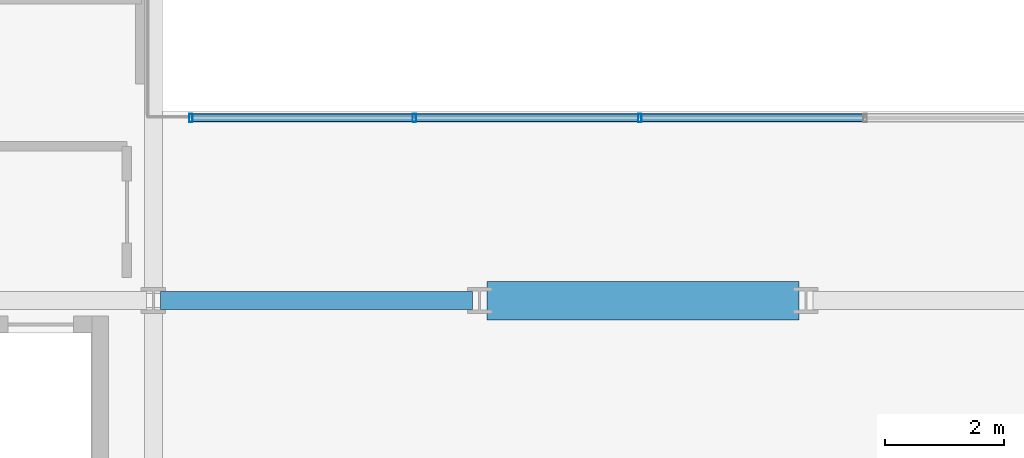
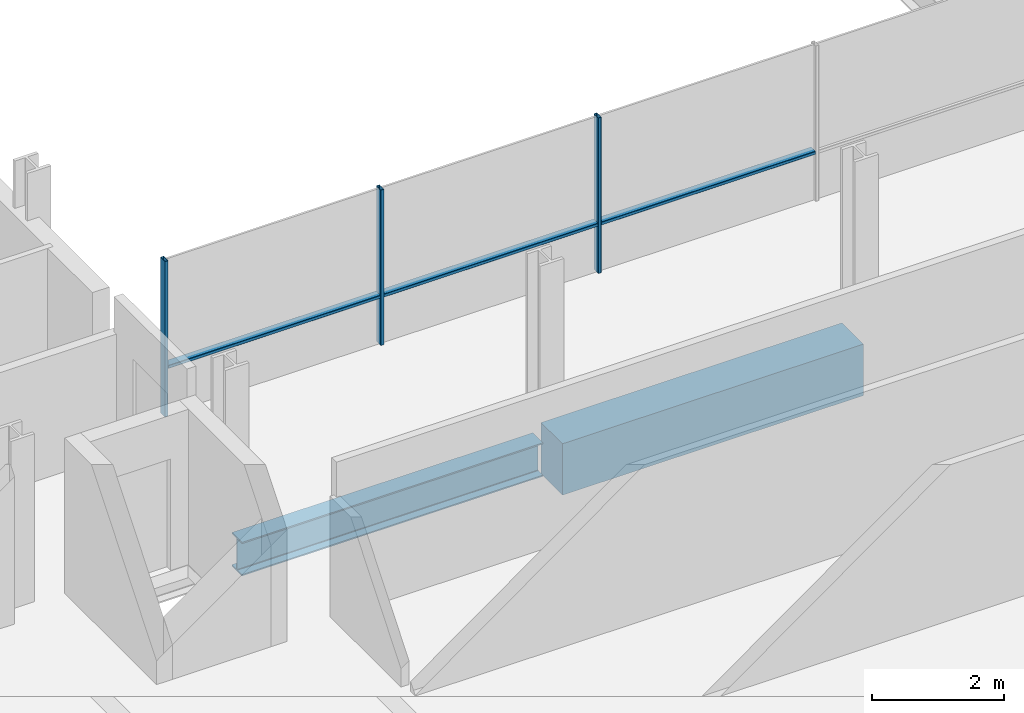
# One storey, part 4 of 41: 6 members, 2 beams, 1 element without a shape of its own.
"""IFC4 building model written with IfcOpenShell, lengths in metres."""

from ifc_helpers import new_model, si_unit, direction, frame, origin, origin_2d, place, context, subcontext, project, spatial, rectangle, hollow_rectangle, i_section, extrude, material, layer, layer_set, material_profile, profile_set, type_object, element, aggregate, save


model = new_model("IFC4")

# Units and contexts
model_context = context("Model", 3, precision=1e-05, world=origin(), true_north=direction((0.0, 1.0)))
body_context = subcontext(model_context, "Body", "Model", "MODEL_VIEW")
ifc_project = project(units=[si_unit("LENGTHUNIT", "METRE"), si_unit("AREAUNIT", "SQUARE_METRE"), si_unit("VOLUMEUNIT", "CUBIC_METRE"), si_unit("PLANEANGLEUNIT", "RADIAN"), si_unit("MASSUNIT", "GRAM", prefix="KILO")], contexts=[model_context])

# Site, building, storey
site_placement = place(None, origin())
site = spatial("IfcSite", under=ifc_project, at=site_placement, CompositionType="ELEMENT")
building_placement = place(site_placement, origin())
building = spatial("IfcBuilding", under=site, at=building_placement, Name="Brevholm Reach", CompositionType="ELEMENT")
storey_placement = place(building_placement, frame((0.0, 0.0, 86.89990234375)))
storey = spatial("IfcBuildingStorey", under=building, at=storey_placement, Name="L25", CompositionType="ELEMENT", Elevation=86.89990234375)

# Beams
ifc_material_1 = material(Name="Concrete C60/75", Category="concrete")
ifc_material_profile_1 = material_profile(ifc_material_1, rectangle(XDim=0.64990234375, YDim=0.949951171875, at=origin_2d()), Name="RC 650x950")
ifc_profile_set_1 = profile_set([ifc_material_profile_1], Name="Concrete C60/75")
beam_type_1 = type_object("IfcBeamType", Name="BM-CB650", PredefinedType="LINTEL", material=ifc_profile_set_1)
beam_1_placement = place(storey_placement, frame((27.3701171875, 10.0, -0.704833984375), z_axis=(1.0, 0.0, 0.0), x_axis=(0.0, 1.0, 0.0)))
element("IfcBeam", 1, at=beam_1_placement, inside=storey, type_object=beam_type_1, Name="L25 CB-01 Framing Beam", PredefinedType="LINTEL", context=body_context, shape_type="SweptSolid", body=[
    extrude(rectangle(XDim=0.64990234375, YDim=0.949951171875, at=origin_2d()), origin(), (0.0, 0.0, 1.0), 5.259765625),
])
ifc_material_2 = material(Name="Structural Steel S355J2", Category="steel")
ifc_material_profile_2 = material_profile(ifc_material_2, i_section(OverallWidth=0.30712890625, OverallDepth=0.6201171875, WebThickness=0.01416015625, FlangeThickness=0.023681640625, FilletRadius=0.0166015625, at=origin_2d()), Name="UKB 610x305x179")
ifc_profile_set_2 = profile_set([ifc_material_profile_2], Name="Structural Steel S355J2")
beam_type_2 = type_object("IfcBeamType", Name="BM-UKB610H", PredefinedType="USERDEFINED", material=ifc_profile_set_2)
beam_2_placement = place(storey_placement, frame((21.8701171875, 10.0, -0.5400390625), z_axis=(1.0, 0.0, 0.0), x_axis=(0.0, 1.0, 0.0)))
element("IfcBeam", 2, at=beam_2_placement, inside=storey, type_object=beam_type_2, Name="L25 G-06 Framing Beam", ObjectType="GIRDER", PredefinedType="USERDEFINED", context=body_context, shape_type="SweptSolid", body=[
    extrude(i_section(OverallWidth=0.30712890625, OverallDepth=0.6201171875, WebThickness=0.01416015625, FlangeThickness=0.023681640625, FilletRadius=0.0166015625, at=origin_2d()), origin(), (0.0, 0.0, 1.0), 5.259765625),
])

# Curtain wall, members
ifc_material_3 = material(Name="Dark Anodised Aluminium 6063-T6 and Solar-Control Glass", Category="aluminium")
ifc_layer = layer(ifc_material_3, 0.139892578125)
ifc_layer_set = layer_set([ifc_layer], Name="Dark Anodised Aluminium 6063-T6 and Solar-Control Glass")
curtain_wall_type = type_object("IfcCurtainWallType", Name="CW-02", PredefinedType="NOTDEFINED", material=ifc_layer_set)
curtain_wall_placement = place(storey_placement, origin())
curtain_wall = element("IfcCurtainWall", 3, at=curtain_wall_placement, inside=storey, type_object=curtain_wall_type, Name="L25 Curtain Wall CW-02", PredefinedType="NOTDEFINED")
ifc_material_4 = material(Name="Dark Anodised Aluminium 6063-T6", Category="aluminium")
ifc_material_profile_3 = material_profile(ifc_material_4, hollow_rectangle(XDim=0.06005859375, YDim=0.139892578125, WallThickness=0.0048828125, InnerFilletRadius=0.0048828125, OuterFilletRadius=0.010009765625, at=origin_2d()), Name="RHS 140x60x5")
ifc_profile_set_3 = profile_set([ifc_material_profile_3], Name="Dark Anodised Aluminium 6063-T6")
member_type_1 = type_object("IfcMemberType", Name="CWM-140", PredefinedType="MULLION", material=ifc_profile_set_3)
member_1_placement = place(storey_placement, frame((22.3798828125, 13.080078125, 0.0), z_axis=(0.0, 0.0, 1.0), x_axis=(1.0, 0.0, 0.0)))
member_1 = element("IfcMember", 4, at=member_1_placement, type_object=member_type_1, Name="CM-140 Mullion 1", PredefinedType="MULLION", context=body_context, shape_type="SweptSolid", body=[
    extrude(hollow_rectangle(XDim=0.06005859375, YDim=0.139892578125, WallThickness=0.0048828125, InnerFilletRadius=0.0048828125, OuterFilletRadius=0.010009765625, at=origin_2d()), origin(), (0.0, 0.0, 1.0), 2.8701171875),
])
member_2_placement = place(storey_placement, frame((26.14990234375, 13.080078125, 0.0), z_axis=(0.0, 0.0, 1.0), x_axis=(1.0, 0.0, 0.0)))
member_2 = element("IfcMember", 5, at=member_2_placement, type_object=member_type_1, Name="CM-140 Mullion 2", PredefinedType="MULLION", context=body_context, shape_type="SweptSolid", body=[
    extrude(hollow_rectangle(XDim=0.06005859375, YDim=0.139892578125, WallThickness=0.0048828125, InnerFilletRadius=0.0048828125, OuterFilletRadius=0.010009765625, at=origin_2d()), origin(), (0.0, 0.0, 1.0), 2.8701171875),
])
member_3_placement = place(storey_placement, frame((29.949951171875, 13.080078125, 0.0), z_axis=(0.0, 0.0, 1.0), x_axis=(1.0, 0.0, 0.0)))
member_3 = element("IfcMember", 6, at=member_3_placement, type_object=member_type_1, Name="CM-140 Mullion 3", PredefinedType="MULLION", context=body_context, shape_type="SweptSolid", body=[
    extrude(hollow_rectangle(XDim=0.06005859375, YDim=0.139892578125, WallThickness=0.0048828125, InnerFilletRadius=0.0048828125, OuterFilletRadius=0.010009765625, at=origin_2d()), origin(), (0.0, 0.0, 1.0), 2.8701171875),
])
ifc_material_5 = material(Name="Dark Anodised Aluminium 6063-T6", Category="aluminium")
ifc_material_profile_4 = material_profile(ifc_material_5, hollow_rectangle(XDim=0.06005859375, YDim=0.139892578125, WallThickness=0.0048828125, InnerFilletRadius=0.0048828125, OuterFilletRadius=0.010009765625, at=origin_2d()), Name="RHS 140x60x5")
ifc_profile_set_4 = profile_set([ifc_material_profile_4], Name="Dark Anodised Aluminium 6063-T6")
member_type_2 = type_object("IfcMemberType", Name="CWT-140", PredefinedType="NOTDEFINED", material=ifc_profile_set_4)
member_4_placement = place(storey_placement, frame((22.409912109375, 13.080078125, 0.900146484375), z_axis=(1.0, 0.0, 0.0), x_axis=(0.0, 0.0, 1.0)))
member_4 = element("IfcMember", 7, at=member_4_placement, type_object=member_type_2, Name="CT-140 Transom 1.1", ObjectType="TRANSOM", PredefinedType="USERDEFINED", context=body_context, shape_type="SweptSolid", body=[
    extrude(hollow_rectangle(XDim=0.06005859375, YDim=0.139892578125, WallThickness=0.0048828125, InnerFilletRadius=0.0048828125, OuterFilletRadius=0.010009765625, at=origin_2d()), origin(), (0.0, 0.0, 1.0), 3.710205078125),
])
member_5_placement = place(storey_placement, frame((26.179931640625, 13.080078125, 0.900146484375), z_axis=(1.0, 0.0, 0.0), x_axis=(0.0, 0.0, 1.0)))
member_5 = element("IfcMember", 8, at=member_5_placement, type_object=member_type_2, Name="CT-140 Transom 2.1", ObjectType="TRANSOM", PredefinedType="USERDEFINED", context=body_context, shape_type="SweptSolid", body=[
    extrude(hollow_rectangle(XDim=0.06005859375, YDim=0.139892578125, WallThickness=0.0048828125, InnerFilletRadius=0.0048828125, OuterFilletRadius=0.010009765625, at=origin_2d()), origin(), (0.0, 0.0, 1.0), 3.739990234375),
])
member_6_placement = place(storey_placement, frame((29.97998046875, 13.080078125, 0.900146484375), z_axis=(1.0, 0.0, 0.0), x_axis=(0.0, 0.0, 1.0)))
member_6 = element("IfcMember", 9, at=member_6_placement, type_object=member_type_2, Name="CT-140 Transom 3.1", ObjectType="TRANSOM", PredefinedType="USERDEFINED", context=body_context, shape_type="SweptSolid", body=[
    extrude(hollow_rectangle(XDim=0.06005859375, YDim=0.139892578125, WallThickness=0.0048828125, InnerFilletRadius=0.0048828125, OuterFilletRadius=0.010009765625, at=origin_2d()), origin(), (0.0, 0.0, 1.0), 3.739990234375),
])
aggregate(curtain_wall, [member_1, member_2, member_3, member_4, member_5, member_6])

save(model, "model.ifc")
